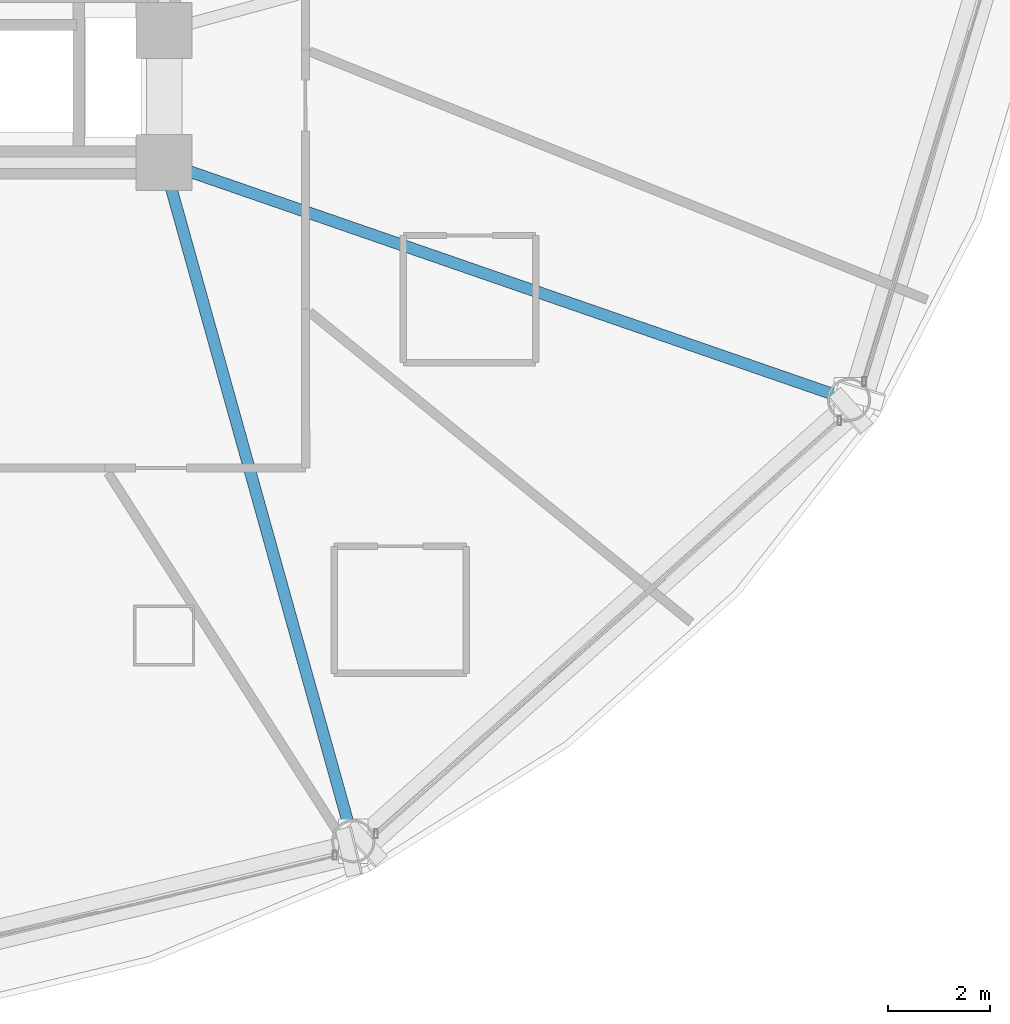
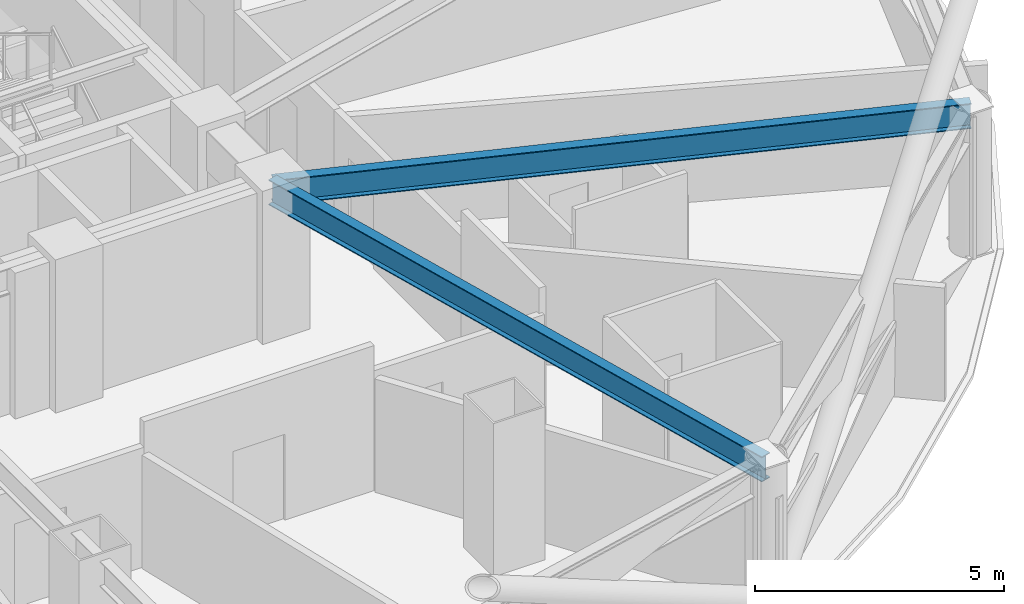
# One storey, part 11 of 31: 2 beams.
"""IFC4 building model written with IfcOpenShell, lengths in metres."""

from ifc_helpers import new_model, si_unit, direction, frame, origin, origin_2d, place, context, subcontext, project, spatial, i_section, extrude, material, material_profile, profile_set, type_object, element, save


model = new_model("IFC4")

# Units and contexts
model_context = context("Model", 3, precision=1e-05, world=origin(), true_north=direction((0.0, 1.0)))
body_context = subcontext(model_context, "Body", "Model", "MODEL_VIEW")
ifc_project = project(units=[si_unit("LENGTHUNIT", "METRE"), si_unit("AREAUNIT", "SQUARE_METRE"), si_unit("VOLUMEUNIT", "CUBIC_METRE"), si_unit("PLANEANGLEUNIT", "RADIAN"), si_unit("MASSUNIT", "GRAM", prefix="KILO")], contexts=[model_context])

# Site, building, storey
site_placement = place(None, origin())
site = spatial("IfcSite", under=ifc_project, at=site_placement, CompositionType="ELEMENT")
building_placement = place(site_placement, origin())
building = spatial("IfcBuilding", under=site, at=building_placement, Name="Vantalir Tower", CompositionType="ELEMENT")
storey_placement = place(building_placement, frame((0.0, 0.0, 42.0)))
storey = spatial("IfcBuildingStorey", under=building, at=storey_placement, Name="L09", CompositionType="ELEMENT", Elevation=42.0)

# Beams
ifc_material = material(Name="Steel S355", Category="steel")
ifc_material_profile = material_profile(ifc_material, i_section(OverallWidth=0.22998046875, OverallDepth=0.616943359375, WebThickness=0.01318359375, FlangeThickness=0.022216796875, at=origin_2d()), Name="Steel S355")
ifc_profile_set = profile_set([ifc_material_profile], Name="Steel S355")
beam_type = type_object("IfcBeamType", Name="BM-RB-610x229", PredefinedType="BEAM", material=ifc_profile_set)
beam_1_placement = place(storey_placement, frame((44.820068359375, 4.452880859375, 3.261962890625), z_axis=(-0.268476196098, 0.963286318873, 0.0), x_axis=(-0.963286318873, -0.268476196098, 0.0)))
element("IfcBeam", 1, at=beam_1_placement, inside=storey, type_object=beam_type, Name="L09 Radial Floor Beam 11", PredefinedType="BEAM", context=body_context, shape_type="SweptSolid", body=[
    extrude(i_section(OverallWidth=0.22998046875, OverallDepth=0.616943359375, WebThickness=0.01318359375, FlangeThickness=0.022216796875, at=origin_2d()), origin(), (0.0, 0.0, 1.0), 13.85595703125),
])
beam_2_placement = place(storey_placement, frame((54.570068359375, 13.136962890625, 3.261962890625), z_axis=(-0.944977317019, 0.327135859117, 0.0), x_axis=(-0.327135859117, -0.944977317019, 0.0)))
element("IfcBeam", 2, at=beam_2_placement, inside=storey, type_object=beam_type, Name="L09 Radial Floor Beam 12", PredefinedType="BEAM", context=body_context, shape_type="SweptSolid", body=[
    extrude(i_section(OverallWidth=0.22998046875, OverallDepth=0.616943359375, WebThickness=0.01318359375, FlangeThickness=0.022216796875, at=origin_2d()), origin(), (0.0, 0.0, 1.0), 14.25439453125),
])

save(model, "model.ifc")
